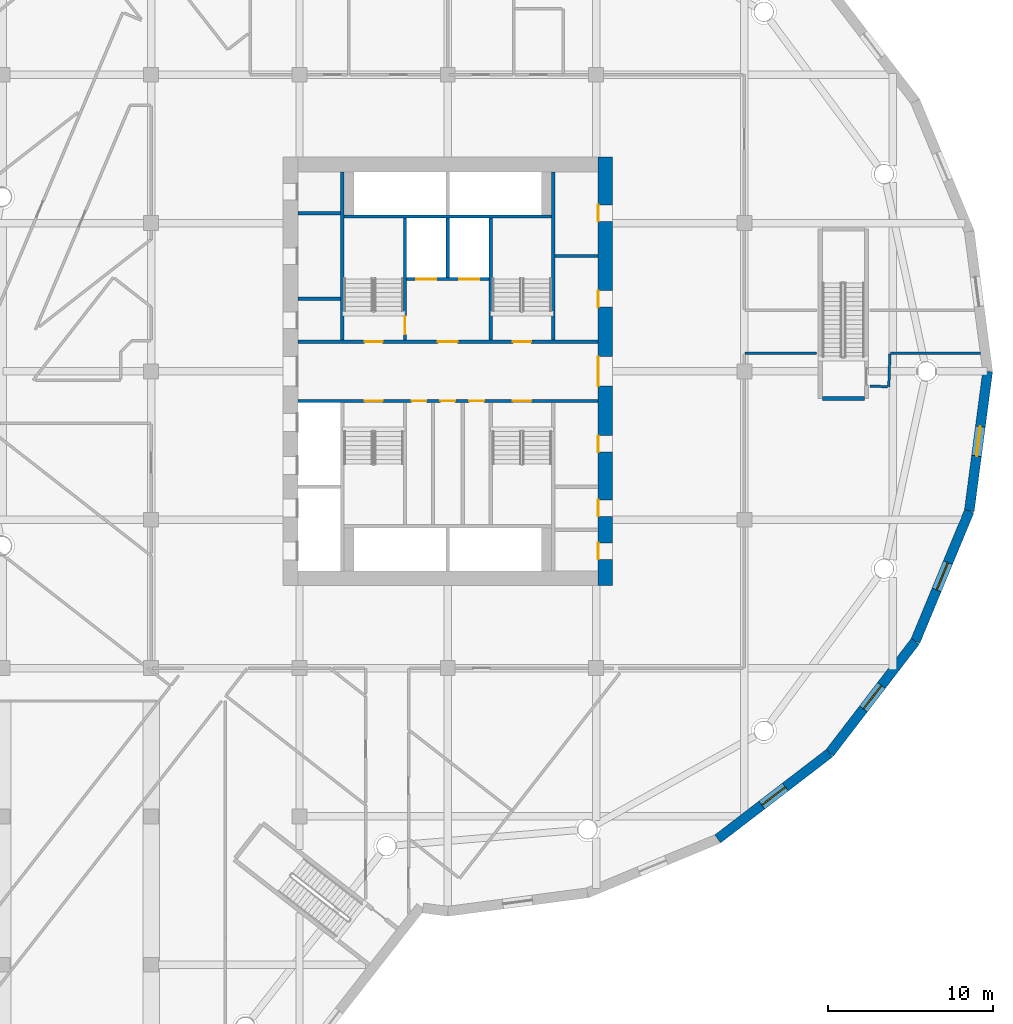
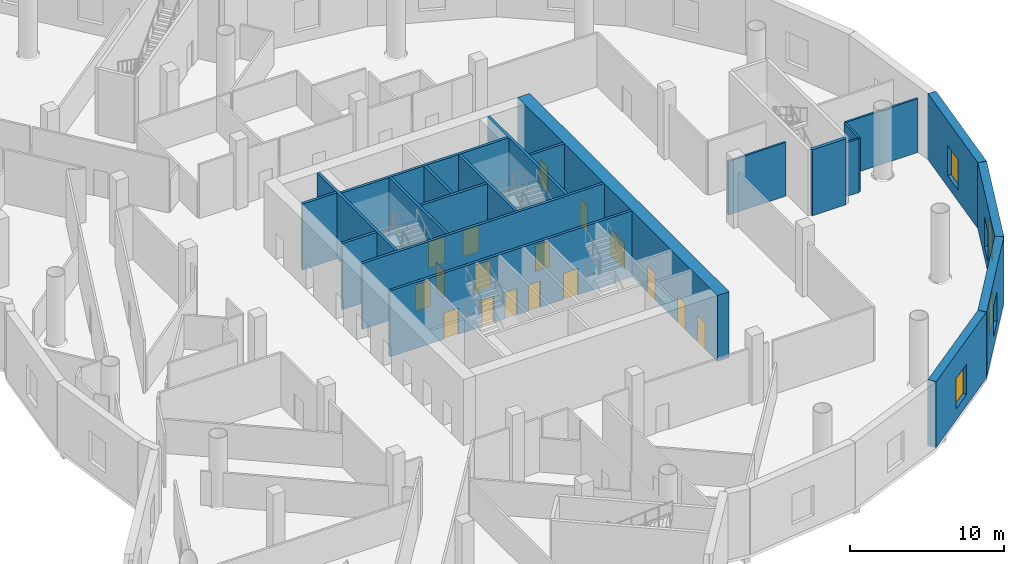
# One storey, part 7 of 23: 22 walls, 17 doors, 4 windows, 21 openings.
"""IFC4 building model written with IfcOpenShell, lengths in metres."""

from ifc_helpers import new_model, si_unit, direction, frame, frame_2d, origin, place, context, subcontext, project, spatial, rectangle, extrude, material, layer, layer_set, type_object, element, fill, save


model = new_model("IFC4")

# Units and contexts
model_context = context("Model", 3, precision=1e-05, world=origin(), true_north=direction((0.0, 1.0)))
body_context = subcontext(model_context, "Body", "Model", "MODEL_VIEW")
ifc_project = project(units=[si_unit("LENGTHUNIT", "METRE"), si_unit("AREAUNIT", "SQUARE_METRE"), si_unit("VOLUMEUNIT", "CUBIC_METRE"), si_unit("PLANEANGLEUNIT", "RADIAN"), si_unit("MASSUNIT", "GRAM", prefix="KILO")], contexts=[model_context])

# Site, building, storey
site_placement = place(None, origin())
site = spatial("IfcSite", under=ifc_project, at=site_placement, CompositionType="ELEMENT")
building_placement = place(site_placement, origin())
building = spatial("IfcBuilding", under=site, at=building_placement, Name="Tarsis Ring Headquarters", CompositionType="ELEMENT")
storey_placement = place(building_placement, frame((0.0, 0.0, 14.0)))
storey = spatial("IfcBuildingStorey", under=building, at=storey_placement, Name="L02", CompositionType="ELEMENT", Elevation=14.0)

# Walls
ifc_material_1 = material(Name="Blockwork", Category="masonry")
ifc_layer_1 = layer(ifc_material_1, 0.199951171875)
ifc_layer_set_1 = layer_set([ifc_layer_1], Name="Core blockwork wall 200")
wall_type_1 = type_object("IfcWallType", Name="Core blockwork wall 200", PredefinedType="PARTITIONING", material=ifc_layer_set_1)
for number, where, z_axis, x_axis, name in (
    (1, (-9.10009765625, 4.39990234375, 0.0), (0.0, 0.0, 1.0), (1.0, 0.0, 0.0), "Core partition WD5"),
    (2, (-9.10009765625, 9.60009765625, 0.0), (0.0, 0.0, 1.0), (1.0, 0.0, 0.0), "Core partition WD7"),
    (3, (6.5, 7.0, 0.0), (0.0, 0.0, 1.0), (1.0, 0.0, 0.0), "Core partition ED6"),
):
    element("IfcWall", number, at=place(storey_placement, frame(where, z_axis=z_axis, x_axis=x_axis)), inside=storey, type_object=wall_type_1, Name=name, PredefinedType="PARTITIONING", context=body_context, shape_type="SweptSolid", body=[
        extrude(rectangle(XDim=2.60009765625, YDim=0.199951171875, at=frame_2d((1.300048828125, 0.0))), origin(), (0.0, 0.0, 1.0), 5.25),
    ])

# Wall, openings, doors
ifc_material_2 = material(Name="Concrete C60/75", Category="concrete")
ifc_layer_2 = layer(ifc_material_2, 0.89990234375)
ifc_layer_set_2 = layer_set([ifc_layer_2], Name="Core wall 900 C60/75")
wall_type_2 = type_object("IfcWallType", Name="Core wall 900 C60/75", PredefinedType="SHEAR", material=ifc_layer_set_2)
wall_1_placement = place(storey_placement, frame((9.550048828125, -13.0, 0.0), z_axis=(0.0, 0.0, 1.0), x_axis=(0.0, 1.0, 0.0)))
wall_1 = element("IfcWall", 4, at=wall_1_placement, inside=storey, type_object=wall_type_2, Name="Core wall OE", PredefinedType="SHEAR", context=body_context, shape_type="SweptSolid", body=[
    extrude(rectangle(XDim=26.0, YDim=0.89990234375, at=frame_2d((13.0, 0.0))), origin(), (0.0, 0.0, 1.0), 5.25),
])
opening_1_placement = place(wall_1_placement, frame((1.60009765625, 0.0, 0.0)))
opening_1 = element("IfcOpeningElement", 5, at=opening_1_placement, cuts=wall_1, Name="Opening L02-C09", PredefinedType="OPENING", context=body_context, shape_type="SweptSolid", body=[
    extrude(rectangle(XDim=1.0, YDim=2.10009765625, at=frame_2d((0.5, 1.050048828125))), frame((0.0, 0.4599609375, 0.0), z_axis=(0.0, -1.0, 0.0), x_axis=(1.0, 0.0, 0.0)), (0.0, 0.0, 1.0), 0.919921875),
])
opening_2_placement = place(wall_1_placement, frame((4.199951171875, 0.0, 0.0)))
opening_2 = element("IfcOpeningElement", 6, at=opening_2_placement, cuts=wall_1, Name="Opening L02-C10", PredefinedType="OPENING", context=body_context, shape_type="SweptSolid", body=[
    extrude(rectangle(XDim=1.0, YDim=2.10009765625, at=frame_2d((0.5, 1.050048828125))), frame((0.0, 0.4599609375, 0.0), z_axis=(0.0, -1.0, 0.0), x_axis=(1.0, 0.0, 0.0)), (0.0, 0.0, 1.0), 0.919921875),
])
opening_3_placement = place(wall_1_placement, frame((8.10009765625, 0.0, 0.0)))
opening_3 = element("IfcOpeningElement", 7, at=opening_3_placement, cuts=wall_1, Name="Opening L02-C11", PredefinedType="OPENING", context=body_context, shape_type="SweptSolid", body=[
    extrude(rectangle(XDim=1.0, YDim=2.10009765625, at=frame_2d((0.5, 1.050048828125))), frame((0.0, 0.4599609375, 0.0), z_axis=(0.0, -1.0, 0.0), x_axis=(1.0, 0.0, 0.0)), (0.0, 0.0, 1.0), 0.919921875),
])
opening_4_placement = place(wall_1_placement, frame((12.10009765625, 0.0, 0.0)))
opening_4 = element("IfcOpeningElement", 8, at=opening_4_placement, cuts=wall_1, Name="Opening L02-C12", PredefinedType="OPENING", context=body_context, shape_type="SweptSolid", body=[
    extrude(rectangle(XDim=1.800048828125, YDim=2.10009765625, at=frame_2d((0.89990234375, 1.050048828125))), frame((0.0, 0.4599609375, 0.0), z_axis=(0.0, -1.0, 0.0), x_axis=(1.0, 0.0, 0.0)), (0.0, 0.0, 1.0), 0.919921875),
])
opening_5_placement = place(wall_1_placement, frame((16.89990234375, 0.0, 0.0)))
opening_5 = element("IfcOpeningElement", 9, at=opening_5_placement, cuts=wall_1, Name="Opening L02-C13", PredefinedType="OPENING", context=body_context, shape_type="SweptSolid", body=[
    extrude(rectangle(XDim=1.0, YDim=2.10009765625, at=frame_2d((0.5, 1.050048828125))), frame((0.0, 0.4599609375, 0.0), z_axis=(0.0, -1.0, 0.0), x_axis=(1.0, 0.0, 0.0)), (0.0, 0.0, 1.0), 0.919921875),
])
opening_6_placement = place(wall_1_placement, frame((22.10009765625, 0.0, 0.0)))
opening_6 = element("IfcOpeningElement", 10, at=opening_6_placement, cuts=wall_1, Name="Opening L02-C14", PredefinedType="OPENING", context=body_context, shape_type="SweptSolid", body=[
    extrude(rectangle(XDim=1.0, YDim=2.10009765625, at=frame_2d((0.5, 1.050048828125))), frame((0.0, 0.4599609375, 0.0), z_axis=(0.0, -1.0, 0.0), x_axis=(1.0, 0.0, 0.0)), (0.0, 0.0, 1.0), 0.919921875),
])
ifc_material_3 = material(Name="Steel S355", Category="steel")
door_type_1 = type_object("IfcDoorType", Name="Core entry door 1800x2100", OperationType="DOUBLE_DOOR_SINGLE_SWING", PredefinedType="DOOR", material=ifc_material_3)
door_1_placement = place(opening_4_placement, origin())
door_1 = element("IfcDoor", 11, at=door_1_placement, inside=storey, type_object=door_type_1, Name="Core entry door L02", OperationType="DOUBLE_DOOR_SINGLE_SWING", OverallHeight=2.10009765625, OverallWidth=1.800048828125, PredefinedType="DOOR", context=body_context, shape_type="SweptSolid", body=[
    extrude(rectangle(XDim=1.800048828125, YDim=2.10009765625, at=frame_2d((0.89990234375, 1.050048828125))), frame((0.0, 0.4501953125, 0.0), z_axis=(0.0, -1.0, 0.0), x_axis=(1.0, 0.0, 0.0)), (0.0, 0.0, 1.0), 0.050048828125),
])
fill(opening_4, door_1)
door_type_2 = type_object("IfcDoorType", Name="Core room door 1000x2100", OperationType="SINGLE_SWING_LEFT", PredefinedType="DOOR", material=ifc_material_3)
door_2_placement = place(opening_1_placement, origin())
door_2 = element("IfcDoor", 12, at=door_2_placement, inside=storey, type_object=door_type_2, Name="Core room door L02", OperationType="SINGLE_SWING_LEFT", OverallHeight=2.10009765625, OverallWidth=1.0, PredefinedType="DOOR", context=body_context, shape_type="SweptSolid", body=[
    extrude(rectangle(XDim=1.0, YDim=2.10009765625, at=frame_2d((0.5, 1.050048828125))), frame((0.0, 0.4501953125, 0.0), z_axis=(0.0, -1.0, 0.0), x_axis=(1.0, 0.0, 0.0)), (0.0, 0.0, 1.0), 0.050048828125),
])
fill(opening_1, door_2)
door_3_placement = place(opening_2_placement, origin())
door_3 = element("IfcDoor", 13, at=door_3_placement, inside=storey, type_object=door_type_2, Name="Core room door L02", OperationType="SINGLE_SWING_LEFT", OverallHeight=2.10009765625, OverallWidth=1.0, PredefinedType="DOOR", context=body_context, shape_type="SweptSolid", body=[
    extrude(rectangle(XDim=1.0, YDim=2.10009765625, at=frame_2d((0.5, 1.050048828125))), frame((0.0, 0.4501953125, 0.0), z_axis=(0.0, -1.0, 0.0), x_axis=(1.0, 0.0, 0.0)), (0.0, 0.0, 1.0), 0.050048828125),
])
fill(opening_2, door_3)
door_4_placement = place(opening_3_placement, origin())
door_4 = element("IfcDoor", 14, at=door_4_placement, inside=storey, type_object=door_type_2, Name="Core room door L02", OperationType="SINGLE_SWING_LEFT", OverallHeight=2.10009765625, OverallWidth=1.0, PredefinedType="DOOR", context=body_context, shape_type="SweptSolid", body=[
    extrude(rectangle(XDim=1.0, YDim=2.10009765625, at=frame_2d((0.5, 1.050048828125))), frame((0.0, 0.4501953125, 0.0), z_axis=(0.0, -1.0, 0.0), x_axis=(1.0, 0.0, 0.0)), (0.0, 0.0, 1.0), 0.050048828125),
])
fill(opening_3, door_4)
door_5_placement = place(opening_5_placement, origin())
door_5 = element("IfcDoor", 15, at=door_5_placement, inside=storey, type_object=door_type_2, Name="Core room door L02", OperationType="SINGLE_SWING_LEFT", OverallHeight=2.10009765625, OverallWidth=1.0, PredefinedType="DOOR", context=body_context, shape_type="SweptSolid", body=[
    extrude(rectangle(XDim=1.0, YDim=2.10009765625, at=frame_2d((0.5, 1.050048828125))), frame((0.0, 0.4501953125, 0.0), z_axis=(0.0, -1.0, 0.0), x_axis=(1.0, 0.0, 0.0)), (0.0, 0.0, 1.0), 0.050048828125),
])
fill(opening_5, door_5)
door_6_placement = place(opening_6_placement, origin())
door_6 = element("IfcDoor", 16, at=door_6_placement, inside=storey, type_object=door_type_2, Name="Core room door L02", OperationType="SINGLE_SWING_LEFT", OverallHeight=2.10009765625, OverallWidth=1.0, PredefinedType="DOOR", context=body_context, shape_type="SweptSolid", body=[
    extrude(rectangle(XDim=1.0, YDim=2.10009765625, at=frame_2d((0.5, 1.050048828125))), frame((0.0, 0.4501953125, 0.0), z_axis=(0.0, -1.0, 0.0), x_axis=(1.0, 0.0, 0.0)), (0.0, 0.0, 1.0), 0.050048828125),
])
fill(opening_6, door_6)

# Walls
ifc_material_4 = material(Name="Plasterboard partition")
ifc_layer_3 = layer(ifc_material_4, 0.14990234375)
ifc_layer_set_3 = layer_set([ifc_layer_3], Name="PO-PW150R-4283")
wall_type_3 = type_object("IfcWallType", Name="PO-PW150R-4283", PredefinedType="PARTITIONING", material=ifc_layer_set_3)
wall_2_placement = place(storey_placement, frame((32.30908203125, 1.110107421875, 0.0), z_axis=(0.0, 0.0, 1.0), x_axis=(-1.0, 0.0, 0.0)))
element("IfcWall", 17, at=wall_2_placement, inside=storey, type_object=wall_type_3, Name="L02 partition wall 69", PredefinedType="PARTITIONING", context=body_context, shape_type="SweptSolid", body=[
    extrude(rectangle(XDim=5.442626953125, YDim=0.14990234375, at=frame_2d((2.72119140625, 0.0))), origin(), (0.0, 0.0, 1.0), 4.282958984375),
])
wall_3_placement = place(storey_placement, frame((22.375, 1.110107421875, 0.0), z_axis=(0.0, 0.0, 1.0), x_axis=(-1.0, 0.0, 0.0)))
element("IfcWall", 18, at=wall_3_placement, inside=storey, type_object=wall_type_3, Name="L02 partition wall 82", PredefinedType="PARTITIONING", context=body_context, shape_type="SweptSolid", body=[
    extrude(rectangle(XDim=4.3349609375, YDim=0.14990234375, at=frame_2d((2.16748046875, 0.0))), origin(), (0.0, 0.0, 1.0), 4.282958984375),
])
wall_4_placement = place(storey_placement, frame((26.824462890625, 1.070068359375, 0.0), z_axis=(0.0, 0.0, 1.0), x_axis=(-0.032904986071, -0.999458484326, 0.0)))
element("IfcWall", 19, at=wall_4_placement, inside=storey, type_object=wall_type_3, Name="L02 partition wall 125", PredefinedType="PARTITIONING", context=body_context, shape_type="SweptSolid", body=[
    extrude(rectangle(XDim=2.003173828125, YDim=0.14990234375, at=frame_2d((1.00146484375, 0.0))), origin(), (0.0, 0.0, 1.0), 4.282958984375),
])
wall_5_placement = place(storey_placement, frame((26.6787109375, -0.929443359375, 0.0), z_axis=(0.0, 0.0, 1.0), x_axis=(-0.99945920656, 0.03288304155, 0.0)))
element("IfcWall", 20, at=wall_5_placement, inside=storey, type_object=wall_type_3, Name="L02 partition wall 159", PredefinedType="PARTITIONING", context=body_context, shape_type="SweptSolid", body=[
    extrude(rectangle(XDim=1.05419921875, YDim=0.14990234375, at=frame_2d((0.527099609375, 0.0))), origin(), (0.0, 0.0, 1.0), 4.282958984375),
])
ifc_material_5 = material(Name="Concrete C40/50", Category="concrete")
ifc_layer_4 = layer(ifc_material_5, 0.25)
ifc_layer_set_4 = layer_set([ifc_layer_4], Name="PO-W250")
wall_type_4 = type_object("IfcWallType", Name="PO-W250", PredefinedType="SOLIDWALL", material=ifc_layer_set_4)
wall_6_placement = place(storey_placement, frame((25.27001953125, -1.64501953125, 0.0), z_axis=(0.0, 0.0, 1.0), x_axis=(-1.0, 0.0, 0.0)))
element("IfcWall", 21, at=wall_6_placement, inside=storey, type_object=wall_type_4, Name="L02 shaft wall 103", PredefinedType="SOLIDWALL", context=body_context, shape_type="SweptSolid", body=[
    extrude(rectangle(XDim=2.5400390625, YDim=0.25, at=frame_2d((1.27001953125, 0.0))), origin(), (0.0, 0.0, 1.0), 5.25),
])

# Wall, opening, window
ifc_layer_5 = layer(ifc_material_2, 0.60009765625)
ifc_layer_set_5 = layer_set([ifc_layer_5], Name="PO-W600")
wall_type_5 = type_object("IfcWallType", Name="PO-W600", PredefinedType="SOLIDWALL", material=ifc_layer_set_5)
wall_7_placement = place(storey_placement, frame((16.37890625, -28.369140625, 0.0), z_axis=(0.0, 0.0, 1.0), x_axis=(0.793356782778, 0.608756942646, 0.0)))
wall_7 = element("IfcWall", 22, at=wall_7_placement, inside=storey, type_object=wall_type_5, Name="L02 external wall 12", PredefinedType="SOLIDWALL", context=body_context, shape_type="SweptSolid", body=[
    extrude(rectangle(XDim=8.551513671875, YDim=0.60009765625, at=frame_2d((4.27587890625, 0.0))), origin(), (0.0, 0.0, 1.0), 5.25),
])
opening_7_placement = place(wall_7_placement, frame((3.375732421875, 0.0, 0.89990234375)))
opening_7 = element("IfcOpeningElement", 23, at=opening_7_placement, cuts=wall_7, Name="Opening PO-WN1", PredefinedType="OPENING", context=body_context, shape_type="SweptSolid", body=[
    extrude(rectangle(XDim=1.800048828125, YDim=2.39990234375, at=frame_2d((0.89990234375, 1.199951171875))), frame((0.0, 0.31005859375, 0.0), z_axis=(0.0, -1.0, 0.0), x_axis=(1.0, 0.0, 0.0)), (0.0, 0.0, 1.0), 0.6201171875),
])
ifc_material_6 = material(Name="Double glazing", Category="glass")
window_type = type_object("IfcWindowType", Name="PO-WN1800", PartitioningType="SINGLE_PANEL", PredefinedType="WINDOW", material=ifc_material_6)
window_1_placement = place(opening_7_placement, origin())
window_1 = element("IfcWindow", 24, at=window_1_placement, inside=storey, type_object=window_type, Name="L02 window 12.1", OverallHeight=2.39990234375, OverallWidth=1.800048828125, PartitioningType="SINGLE_PANEL", PredefinedType="WINDOW", context=body_context, shape_type="SweptSolid", body=[
    extrude(rectangle(XDim=1.800048828125, YDim=2.39990234375, at=frame_2d((0.89990234375, 1.199951171875))), frame((0.0, 0.030029296875, 0.0), z_axis=(0.0, -1.0, 0.0), x_axis=(1.0, 0.0, 0.0)), (0.0, 0.0, 1.0), 0.06005859375),
])
fill(opening_7, window_1)

wall_8_placement = place(storey_placement, frame((23.163330078125, -23.163330078125, 0.0), z_axis=(0.0, 0.0, 1.0), x_axis=(0.608756942646, 0.793356782778, 0.0)))
wall_8 = element("IfcWall", 25, at=wall_8_placement, inside=storey, type_object=wall_type_5, Name="L02 external wall 13", PredefinedType="SOLIDWALL", context=body_context, shape_type="SweptSolid", body=[
    extrude(rectangle(XDim=8.551513671875, YDim=0.60009765625, at=frame_2d((4.27587890625, 0.0))), origin(), (0.0, 0.0, 1.0), 5.25),
])
opening_8_placement = place(wall_8_placement, frame((3.375732421875, 0.0, 0.89990234375)))
opening_8 = element("IfcOpeningElement", 26, at=opening_8_placement, cuts=wall_8, Name="Opening PO-WN1", PredefinedType="OPENING", context=body_context, shape_type="SweptSolid", body=[
    extrude(rectangle(XDim=1.800048828125, YDim=2.39990234375, at=frame_2d((0.89990234375, 1.199951171875))), frame((0.0, 0.31005859375, 0.0), z_axis=(0.0, -1.0, 0.0), x_axis=(1.0, 0.0, 0.0)), (0.0, 0.0, 1.0), 0.6201171875),
])
window_2_placement = place(opening_8_placement, origin())
window_2 = element("IfcWindow", 27, at=window_2_placement, inside=storey, type_object=window_type, Name="L02 window 13.1", OverallHeight=2.39990234375, OverallWidth=1.800048828125, PartitioningType="SINGLE_PANEL", PredefinedType="WINDOW", context=body_context, shape_type="SweptSolid", body=[
    extrude(rectangle(XDim=1.800048828125, YDim=2.39990234375, at=frame_2d((0.89990234375, 1.199951171875))), frame((0.0, 0.030029296875, 0.0), z_axis=(0.0, -1.0, 0.0), x_axis=(1.0, 0.0, 0.0)), (0.0, 0.0, 1.0), 0.06005859375),
])
fill(opening_8, window_2)

wall_9_placement = place(storey_placement, frame((28.369140625, -16.37890625, 0.0), z_axis=(0.0, 0.0, 1.0), x_axis=(0.382674535665, 0.923883217595, 0.0)))
wall_9 = element("IfcWall", 28, at=wall_9_placement, inside=storey, type_object=wall_type_5, Name="L02 external wall 14", PredefinedType="SOLIDWALL", context=body_context, shape_type="SweptSolid", body=[
    extrude(rectangle(XDim=8.551513671875, YDim=0.60009765625, at=frame_2d((4.27587890625, 0.0))), origin(), (0.0, 0.0, 1.0), 5.25),
])
opening_9_placement = place(wall_9_placement, frame((3.375732421875, 0.0, 0.89990234375)))
opening_9 = element("IfcOpeningElement", 29, at=opening_9_placement, cuts=wall_9, Name="Opening PO-WN1", PredefinedType="OPENING", context=body_context, shape_type="SweptSolid", body=[
    extrude(rectangle(XDim=1.800048828125, YDim=2.39990234375, at=frame_2d((0.89990234375, 1.199951171875))), frame((0.0, 0.31005859375, 0.0), z_axis=(0.0, -1.0, 0.0), x_axis=(1.0, 0.0, 0.0)), (0.0, 0.0, 1.0), 0.6201171875),
])
window_3_placement = place(opening_9_placement, origin())
window_3 = element("IfcWindow", 30, at=window_3_placement, inside=storey, type_object=window_type, Name="L02 window 14.1", OverallHeight=2.39990234375, OverallWidth=1.800048828125, PartitioningType="SINGLE_PANEL", PredefinedType="WINDOW", context=body_context, shape_type="SweptSolid", body=[
    extrude(rectangle(XDim=1.800048828125, YDim=2.39990234375, at=frame_2d((0.89990234375, 1.199951171875))), frame((0.0, 0.030029296875, 0.0), z_axis=(0.0, -1.0, 0.0), x_axis=(1.0, 0.0, 0.0)), (0.0, 0.0, 1.0), 0.06005859375),
])
fill(opening_9, window_3)

wall_10_placement = place(storey_placement, frame((31.6416015625, -8.478271484375, 0.0), z_axis=(0.0, 0.0, 1.0), x_axis=(0.130529102837, 0.991444478179, 0.0)))
wall_10 = element("IfcWall", 31, at=wall_10_placement, inside=storey, type_object=wall_type_5, Name="L02 external wall 15", PredefinedType="SOLIDWALL", context=body_context, shape_type="SweptSolid", body=[
    extrude(rectangle(XDim=8.551513671875, YDim=0.60009765625, at=frame_2d((4.27587890625, 0.0))), origin(), (0.0, 0.0, 1.0), 5.25),
])
opening_10_placement = place(wall_10_placement, frame((3.375732421875, 0.0, 0.89990234375)))
opening_10 = element("IfcOpeningElement", 32, at=opening_10_placement, cuts=wall_10, Name="Opening PO-WN1", PredefinedType="OPENING", context=body_context, shape_type="SweptSolid", body=[
    extrude(rectangle(XDim=1.800048828125, YDim=2.39990234375, at=frame_2d((0.89990234375, 1.199951171875))), frame((0.0, 0.31005859375, 0.0), z_axis=(0.0, -1.0, 0.0), x_axis=(1.0, 0.0, 0.0)), (0.0, 0.0, 1.0), 0.6201171875),
])
window_4_placement = place(opening_10_placement, origin())
window_4 = element("IfcWindow", 33, at=window_4_placement, inside=storey, type_object=window_type, Name="L02 window 15.1", OverallHeight=2.39990234375, OverallWidth=1.800048828125, PartitioningType="SINGLE_PANEL", PredefinedType="WINDOW", context=body_context, shape_type="SweptSolid", body=[
    extrude(rectangle(XDim=1.800048828125, YDim=2.39990234375, at=frame_2d((0.89990234375, 1.199951171875))), frame((0.0, 0.030029296875, 0.0), z_axis=(0.0, -1.0, 0.0), x_axis=(1.0, 0.0, 0.0)), (0.0, 0.0, 1.0), 0.06005859375),
])
fill(opening_10, window_4)

# Wall, openings, doors
ifc_material_7 = material(Name="Concrete C32/40", Category="concrete")
ifc_layer_6 = layer(ifc_material_7, 0.199951171875)
ifc_layer_set_6 = layer_set([ifc_layer_6], Name="Shaft wall 200 C32/40")
wall_type_6 = type_object("IfcWallType", Name="Shaft wall 200 C32/40", PredefinedType="SOLIDWALL", material=ifc_layer_set_6)
wall_11_placement = place(storey_placement, frame((-9.10009765625, 1.800048828125, 0.0), z_axis=(0.0, 0.0, 1.0), x_axis=(1.0, 0.0, 0.0)))
wall_11 = element("IfcWall", 34, at=wall_11_placement, inside=storey, type_object=wall_type_6, Name="Core shaft wall CN", PredefinedType="SOLIDWALL", context=body_context, shape_type="SweptSolid", body=[
    extrude(rectangle(XDim=18.2001953125, YDim=0.199951171875, at=frame_2d((9.10009765625, 0.0))), origin(), (0.0, 0.0, 1.0), 5.25),
])
opening_11_placement = place(wall_11_placement, frame((4.050048828125, 0.0, 0.0)))
opening_11 = element("IfcOpeningElement", 35, at=opening_11_placement, cuts=wall_11, Name="Opening L02-C15", PredefinedType="OPENING", context=body_context, shape_type="SweptSolid", body=[
    extrude(rectangle(XDim=1.10009765625, YDim=2.10009765625, at=frame_2d((0.550048828125, 1.050048828125))), frame((0.0, 0.10986328125, 0.0), z_axis=(0.0, -1.0, 0.0), x_axis=(1.0, 0.0, 0.0)), (0.0, 0.0, 1.0), 0.219970703125),
])
opening_12_placement = place(wall_11_placement, frame((8.5, 0.0, 0.0)))
opening_12 = element("IfcOpeningElement", 36, at=opening_12_placement, cuts=wall_11, Name="Opening L02-C16", PredefinedType="OPENING", context=body_context, shape_type="SweptSolid", body=[
    extrude(rectangle(XDim=1.199951171875, YDim=2.10009765625, at=frame_2d((0.60009765625, 1.050048828125))), frame((0.0, 0.10986328125, 0.0), z_axis=(0.0, -1.0, 0.0), x_axis=(1.0, 0.0, 0.0)), (0.0, 0.0, 1.0), 0.219970703125),
])
opening_13_placement = place(wall_11_placement, frame((13.050048828125, 0.0, 0.0)))
opening_13 = element("IfcOpeningElement", 37, at=opening_13_placement, cuts=wall_11, Name="Opening L02-C17", PredefinedType="OPENING", context=body_context, shape_type="SweptSolid", body=[
    extrude(rectangle(XDim=1.10009765625, YDim=2.10009765625, at=frame_2d((0.550048828125, 1.050048828125))), frame((0.0, 0.10986328125, 0.0), z_axis=(0.0, -1.0, 0.0), x_axis=(1.0, 0.0, 0.0)), (0.0, 0.0, 1.0), 0.219970703125),
])
door_type_3 = type_object("IfcDoorType", Name="Firefighting lobby door 1200x2100", OperationType="DOUBLE_DOOR_SINGLE_SWING", PredefinedType="DOOR", material=ifc_material_3)
door_7_placement = place(opening_12_placement, origin())
door_7 = element("IfcDoor", 38, at=door_7_placement, inside=storey, type_object=door_type_3, Name="Firefighting lobby door L02", OperationType="DOUBLE_DOOR_SINGLE_SWING", OverallHeight=2.10009765625, OverallWidth=1.199951171875, PredefinedType="DOOR", context=body_context, shape_type="SweptSolid", body=[
    extrude(rectangle(XDim=1.199951171875, YDim=2.10009765625, at=frame_2d((0.60009765625, 1.050048828125))), frame((0.0, 0.02490234375, 0.0), z_axis=(0.0, -1.0, 0.0), x_axis=(1.0, 0.0, 0.0)), (0.0, 0.0, 1.0), 0.050048828125),
])
fill(opening_12, door_7)
door_type_4 = type_object("IfcDoorType", Name="Stair door 1100x2100", OperationType="SINGLE_SWING_LEFT", PredefinedType="DOOR", material=ifc_material_3)
door_8_placement = place(opening_11_placement, origin())
door_8 = element("IfcDoor", 39, at=door_8_placement, inside=storey, type_object=door_type_4, Name="Stair door L02", OperationType="SINGLE_SWING_LEFT", OverallHeight=2.10009765625, OverallWidth=1.10009765625, PredefinedType="DOOR", context=body_context, shape_type="SweptSolid", body=[
    extrude(rectangle(XDim=1.10009765625, YDim=2.10009765625, at=frame_2d((0.550048828125, 1.050048828125))), frame((0.0, 0.02490234375, 0.0), z_axis=(0.0, -1.0, 0.0), x_axis=(1.0, 0.0, 0.0)), (0.0, 0.0, 1.0), 0.050048828125),
])
fill(opening_11, door_8)
door_9_placement = place(opening_13_placement, origin())
door_9 = element("IfcDoor", 40, at=door_9_placement, inside=storey, type_object=door_type_4, Name="Stair door L02", OperationType="SINGLE_SWING_LEFT", OverallHeight=2.10009765625, OverallWidth=1.10009765625, PredefinedType="DOOR", context=body_context, shape_type="SweptSolid", body=[
    extrude(rectangle(XDim=1.10009765625, YDim=2.10009765625, at=frame_2d((0.550048828125, 1.050048828125))), frame((0.0, 0.02490234375, 0.0), z_axis=(0.0, -1.0, 0.0), x_axis=(1.0, 0.0, 0.0)), (0.0, 0.0, 1.0), 0.050048828125),
])
fill(opening_13, door_9)

wall_12_placement = place(storey_placement, frame((-9.10009765625, -1.800048828125, 0.0), z_axis=(0.0, 0.0, 1.0), x_axis=(1.0, 0.0, 0.0)))
wall_12 = element("IfcWall", 41, at=wall_12_placement, inside=storey, type_object=wall_type_6, Name="Core shaft wall CS", PredefinedType="SOLIDWALL", context=body_context, shape_type="SweptSolid", body=[
    extrude(rectangle(XDim=18.2001953125, YDim=0.199951171875, at=frame_2d((9.10009765625, 0.0))), origin(), (0.0, 0.0, 1.0), 5.25),
])
opening_14_placement = place(wall_12_placement, frame((4.050048828125, 0.0, 0.0)))
opening_14 = element("IfcOpeningElement", 42, at=opening_14_placement, cuts=wall_12, Name="Opening L02-C18", PredefinedType="OPENING", context=body_context, shape_type="SweptSolid", body=[
    extrude(rectangle(XDim=1.10009765625, YDim=2.10009765625, at=frame_2d((0.550048828125, 1.050048828125))), frame((0.0, 0.10986328125, 0.0), z_axis=(0.0, -1.0, 0.0), x_axis=(1.0, 0.0, 0.0)), (0.0, 0.0, 1.0), 0.219970703125),
])
opening_15_placement = place(wall_12_placement, frame((6.89990234375, 0.0, 0.0)))
opening_15 = element("IfcOpeningElement", 43, at=opening_15_placement, cuts=wall_12, Name="Opening L02-C19", PredefinedType="OPENING", context=body_context, shape_type="SweptSolid", body=[
    extrude(rectangle(XDim=0.89990234375, YDim=2.10009765625, at=frame_2d((0.449951171875, 1.050048828125))), frame((0.0, 0.10986328125, 0.0), z_axis=(0.0, -1.0, 0.0), x_axis=(1.0, 0.0, 0.0)), (0.0, 0.0, 1.0), 0.219970703125),
])
opening_16_placement = place(wall_12_placement, frame((8.64990234375, 0.0, 0.0)))
opening_16 = element("IfcOpeningElement", 44, at=opening_16_placement, cuts=wall_12, Name="Opening L02-C20", PredefinedType="OPENING", context=body_context, shape_type="SweptSolid", body=[
    extrude(rectangle(XDim=0.89990234375, YDim=2.10009765625, at=frame_2d((0.449951171875, 1.050048828125))), frame((0.0, 0.10986328125, 0.0), z_axis=(0.0, -1.0, 0.0), x_axis=(1.0, 0.0, 0.0)), (0.0, 0.0, 1.0), 0.219970703125),
])
opening_17_placement = place(wall_12_placement, frame((10.39990234375, 0.0, 0.0)))
opening_17 = element("IfcOpeningElement", 45, at=opening_17_placement, cuts=wall_12, Name="Opening L02-C21", PredefinedType="OPENING", context=body_context, shape_type="SweptSolid", body=[
    extrude(rectangle(XDim=0.89990234375, YDim=2.10009765625, at=frame_2d((0.449951171875, 1.050048828125))), frame((0.0, 0.10986328125, 0.0), z_axis=(0.0, -1.0, 0.0), x_axis=(1.0, 0.0, 0.0)), (0.0, 0.0, 1.0), 0.219970703125),
])
opening_18_placement = place(wall_12_placement, frame((13.050048828125, 0.0, 0.0)))
opening_18 = element("IfcOpeningElement", 46, at=opening_18_placement, cuts=wall_12, Name="Opening L02-C22", PredefinedType="OPENING", context=body_context, shape_type="SweptSolid", body=[
    extrude(rectangle(XDim=1.10009765625, YDim=2.10009765625, at=frame_2d((0.550048828125, 1.050048828125))), frame((0.0, 0.10986328125, 0.0), z_axis=(0.0, -1.0, 0.0), x_axis=(1.0, 0.0, 0.0)), (0.0, 0.0, 1.0), 0.219970703125),
])
door_10_placement = place(opening_14_placement, origin())
door_10 = element("IfcDoor", 47, at=door_10_placement, inside=storey, type_object=door_type_4, Name="Stair door L02", OperationType="SINGLE_SWING_LEFT", OverallHeight=2.10009765625, OverallWidth=1.10009765625, PredefinedType="DOOR", context=body_context, shape_type="SweptSolid", body=[
    extrude(rectangle(XDim=1.10009765625, YDim=2.10009765625, at=frame_2d((0.550048828125, 1.050048828125))), frame((0.0, 0.02490234375, 0.0), z_axis=(0.0, -1.0, 0.0), x_axis=(1.0, 0.0, 0.0)), (0.0, 0.0, 1.0), 0.050048828125),
])
fill(opening_14, door_10)
door_11_placement = place(opening_18_placement, origin())
door_11 = element("IfcDoor", 48, at=door_11_placement, inside=storey, type_object=door_type_4, Name="Stair door L02", OperationType="SINGLE_SWING_LEFT", OverallHeight=2.10009765625, OverallWidth=1.10009765625, PredefinedType="DOOR", context=body_context, shape_type="SweptSolid", body=[
    extrude(rectangle(XDim=1.10009765625, YDim=2.10009765625, at=frame_2d((0.550048828125, 1.050048828125))), frame((0.0, 0.02490234375, 0.0), z_axis=(0.0, -1.0, 0.0), x_axis=(1.0, 0.0, 0.0)), (0.0, 0.0, 1.0), 0.050048828125),
])
fill(opening_18, door_11)
door_type_5 = type_object("IfcDoorType", Name="WC door 900x2100", OperationType="SINGLE_SWING_LEFT", PredefinedType="DOOR", material=ifc_material_3)
door_12_placement = place(opening_15_placement, origin())
door_12 = element("IfcDoor", 49, at=door_12_placement, inside=storey, type_object=door_type_5, Name="WC door L02", OperationType="SINGLE_SWING_LEFT", OverallHeight=2.10009765625, OverallWidth=0.89990234375, PredefinedType="DOOR", context=body_context, shape_type="SweptSolid", body=[
    extrude(rectangle(XDim=0.89990234375, YDim=2.10009765625, at=frame_2d((0.449951171875, 1.050048828125))), frame((0.0, 0.02490234375, 0.0), z_axis=(0.0, -1.0, 0.0), x_axis=(1.0, 0.0, 0.0)), (0.0, 0.0, 1.0), 0.050048828125),
])
fill(opening_15, door_12)
door_13_placement = place(opening_16_placement, origin())
door_13 = element("IfcDoor", 50, at=door_13_placement, inside=storey, type_object=door_type_5, Name="WC door L02", OperationType="SINGLE_SWING_LEFT", OverallHeight=2.10009765625, OverallWidth=0.89990234375, PredefinedType="DOOR", context=body_context, shape_type="SweptSolid", body=[
    extrude(rectangle(XDim=0.89990234375, YDim=2.10009765625, at=frame_2d((0.449951171875, 1.050048828125))), frame((0.0, 0.02490234375, 0.0), z_axis=(0.0, -1.0, 0.0), x_axis=(1.0, 0.0, 0.0)), (0.0, 0.0, 1.0), 0.050048828125),
])
fill(opening_16, door_13)
door_14_placement = place(opening_17_placement, origin())
door_14 = element("IfcDoor", 51, at=door_14_placement, inside=storey, type_object=door_type_5, Name="WC door L02", OperationType="SINGLE_SWING_LEFT", OverallHeight=2.10009765625, OverallWidth=0.89990234375, PredefinedType="DOOR", context=body_context, shape_type="SweptSolid", body=[
    extrude(rectangle(XDim=0.89990234375, YDim=2.10009765625, at=frame_2d((0.449951171875, 1.050048828125))), frame((0.0, 0.02490234375, 0.0), z_axis=(0.0, -1.0, 0.0), x_axis=(1.0, 0.0, 0.0)), (0.0, 0.0, 1.0), 0.050048828125),
])
fill(opening_17, door_14)

# Walls
for number, where, z_axis, x_axis, name in (
    (52, (-6.39990234375, 1.89990234375, 0.0), (0.0, 0.0, 1.0), (0.0, 1.0, 0.0), "Core shaft wall WB2"),
    (53, (6.39990234375, 1.89990234375, 0.0), (0.0, 0.0, 1.0), (0.0, 1.0, 0.0), "Core shaft wall EB2"),
):
    element("IfcWall", number, at=place(storey_placement, frame(where, z_axis=z_axis, x_axis=x_axis)), inside=storey, type_object=wall_type_6, Name=name, PredefinedType="SOLIDWALL", context=body_context, shape_type="SweptSolid", body=[
        extrude(rectangle(XDim=10.2001953125, YDim=0.199951171875, at=frame_2d((5.10009765625, 0.0))), origin(), (0.0, 0.0, 1.0), 5.25),
    ])
wall_13_placement = place(storey_placement, frame((-6.300048828125, 9.39990234375, 0.0), z_axis=(0.0, 0.0, 1.0), x_axis=(1.0, 0.0, 0.0)))
element("IfcWall", 54, at=wall_13_placement, inside=storey, type_object=wall_type_6, Name="Core shaft wall NB", PredefinedType="SOLIDWALL", context=body_context, shape_type="SweptSolid", body=[
    extrude(rectangle(XDim=12.60009765625, YDim=0.199951171875, at=frame_2d((6.300048828125, 0.0))), origin(), (0.0, 0.0, 1.0), 5.25),
])

# Wall, opening, door
wall_14_placement = place(storey_placement, frame((-2.60009765625, 1.89990234375, 0.0), z_axis=(0.0, 0.0, 1.0), x_axis=(0.0, 1.0, 0.0)))
wall_14 = element("IfcWall", 55, at=wall_14_placement, inside=storey, type_object=wall_type_6, Name="Core shaft wall SW1", PredefinedType="SOLIDWALL", context=body_context, shape_type="SweptSolid", body=[
    extrude(rectangle(XDim=7.400146484375, YDim=0.199951171875, at=frame_2d((3.7001953125, 0.0))), origin(), (0.0, 0.0, 1.0), 5.25),
])
opening_19_placement = place(wall_14_placement, frame((0.35009765625, 0.0, 0.0)))
opening_19 = element("IfcOpeningElement", 56, at=opening_19_placement, cuts=wall_14, Name="Opening L02-C23", PredefinedType="OPENING", context=body_context, shape_type="SweptSolid", body=[
    extrude(rectangle(XDim=1.10009765625, YDim=2.10009765625, at=frame_2d((0.550048828125, 1.050048828125))), frame((0.0, 0.10986328125, 0.0), z_axis=(0.0, -1.0, 0.0), x_axis=(1.0, 0.0, 0.0)), (0.0, 0.0, 1.0), 0.219970703125),
])
door_15_placement = place(opening_19_placement, origin())
door_15 = element("IfcDoor", 57, at=door_15_placement, inside=storey, type_object=door_type_4, Name="Stair door L02", OperationType="SINGLE_SWING_LEFT", OverallHeight=2.10009765625, OverallWidth=1.10009765625, PredefinedType="DOOR", context=body_context, shape_type="SweptSolid", body=[
    extrude(rectangle(XDim=1.10009765625, YDim=2.10009765625, at=frame_2d((0.550048828125, 1.050048828125))), frame((0.0, 0.02490234375, 0.0), z_axis=(0.0, -1.0, 0.0), x_axis=(1.0, 0.0, 0.0)), (0.0, 0.0, 1.0), 0.050048828125),
])
fill(opening_19, door_15)

# Wall
wall_15_placement = place(storey_placement, frame((2.60009765625, 1.89990234375, 0.0), z_axis=(0.0, 0.0, 1.0), x_axis=(0.0, 1.0, 0.0)))
element("IfcWall", 58, at=wall_15_placement, inside=storey, type_object=wall_type_6, Name="Core shaft wall SW2", PredefinedType="SOLIDWALL", context=body_context, shape_type="SweptSolid", body=[
    extrude(rectangle(XDim=7.400146484375, YDim=0.199951171875, at=frame_2d((3.7001953125, 0.0))), origin(), (0.0, 0.0, 1.0), 5.25),
])

# Wall, openings, doors
wall_16_placement = place(storey_placement, frame((-2.5, 5.60009765625, 0.0), z_axis=(0.0, 0.0, 1.0), x_axis=(1.0, 0.0, 0.0)))
wall_16 = element("IfcWall", 59, at=wall_16_placement, inside=storey, type_object=wall_type_6, Name="Core shaft wall FFN", PredefinedType="SOLIDWALL", context=body_context, shape_type="SweptSolid", body=[
    extrude(rectangle(XDim=5.0, YDim=0.199951171875, at=frame_2d((2.5, 0.0))), origin(), (0.0, 0.0, 1.0), 5.25),
])
opening_20_placement = place(wall_16_placement, frame((0.60009765625, 0.0, 0.0)))
opening_20 = element("IfcOpeningElement", 60, at=opening_20_placement, cuts=wall_16, Name="Opening LDF-1", PredefinedType="OPENING", context=body_context, shape_type="SweptSolid", body=[
    extrude(rectangle(XDim=1.199951171875, YDim=2.10009765625, at=frame_2d((0.60009765625, 1.050048828125))), frame((0.0, 0.10986328125, 0.0), z_axis=(0.0, -1.0, 0.0), x_axis=(1.0, 0.0, 0.0)), (0.0, 0.0, 1.0), 0.219970703125),
])
opening_21_placement = place(wall_16_placement, frame((3.199951171875, 0.0, 0.0)))
opening_21 = element("IfcOpeningElement", 61, at=opening_21_placement, cuts=wall_16, Name="Opening LDF-2", PredefinedType="OPENING", context=body_context, shape_type="SweptSolid", body=[
    extrude(rectangle(XDim=1.199951171875, YDim=2.10009765625, at=frame_2d((0.60009765625, 1.050048828125))), frame((0.0, 0.10986328125, 0.0), z_axis=(0.0, -1.0, 0.0), x_axis=(1.0, 0.0, 0.0)), (0.0, 0.0, 1.0), 0.219970703125),
])
door_type_6 = type_object("IfcDoorType", Name="Firefighting landing door 1200x2100", OperationType="SLIDING_TO_LEFT", PredefinedType="DOOR", material=ifc_material_3)
door_16_placement = place(opening_20_placement, origin())
door_16 = element("IfcDoor", 62, at=door_16_placement, inside=storey, type_object=door_type_6, Name="Landing door FF1 L02", OperationType="SLIDING_TO_LEFT", OverallHeight=2.10009765625, OverallWidth=1.199951171875, PredefinedType="DOOR", context=body_context, shape_type="SweptSolid", body=[
    extrude(rectangle(XDim=1.199951171875, YDim=2.10009765625, at=frame_2d((0.60009765625, 1.050048828125))), frame((0.0, 0.02490234375, 0.0), z_axis=(0.0, -1.0, 0.0), x_axis=(1.0, 0.0, 0.0)), (0.0, 0.0, 1.0), 0.050048828125),
])
fill(opening_20, door_16)
door_17_placement = place(opening_21_placement, origin())
door_17 = element("IfcDoor", 63, at=door_17_placement, inside=storey, type_object=door_type_6, Name="Landing door FF2 L02", OperationType="SLIDING_TO_LEFT", OverallHeight=2.10009765625, OverallWidth=1.199951171875, PredefinedType="DOOR", context=body_context, shape_type="SweptSolid", body=[
    extrude(rectangle(XDim=1.199951171875, YDim=2.10009765625, at=frame_2d((0.60009765625, 1.050048828125))), frame((0.0, 0.02490234375, 0.0), z_axis=(0.0, -1.0, 0.0), x_axis=(1.0, 0.0, 0.0)), (0.0, 0.0, 1.0), 0.050048828125),
])
fill(opening_21, door_17)

# Wall
wall_17_placement = place(storey_placement, frame((0.0, 5.699951171875, 0.0), z_axis=(0.0, 0.0, 1.0), x_axis=(0.0, 1.0, 0.0)))
element("IfcWall", 64, at=wall_17_placement, inside=storey, type_object=wall_type_6, Name="Core shaft wall FFD", PredefinedType="SOLIDWALL", context=body_context, shape_type="SweptSolid", body=[
    extrude(rectangle(XDim=3.60009765625, YDim=0.199951171875, at=frame_2d((1.800048828125, 0.0))), origin(), (0.0, 0.0, 1.0), 5.25),
])

save(model, "model.ifc")
